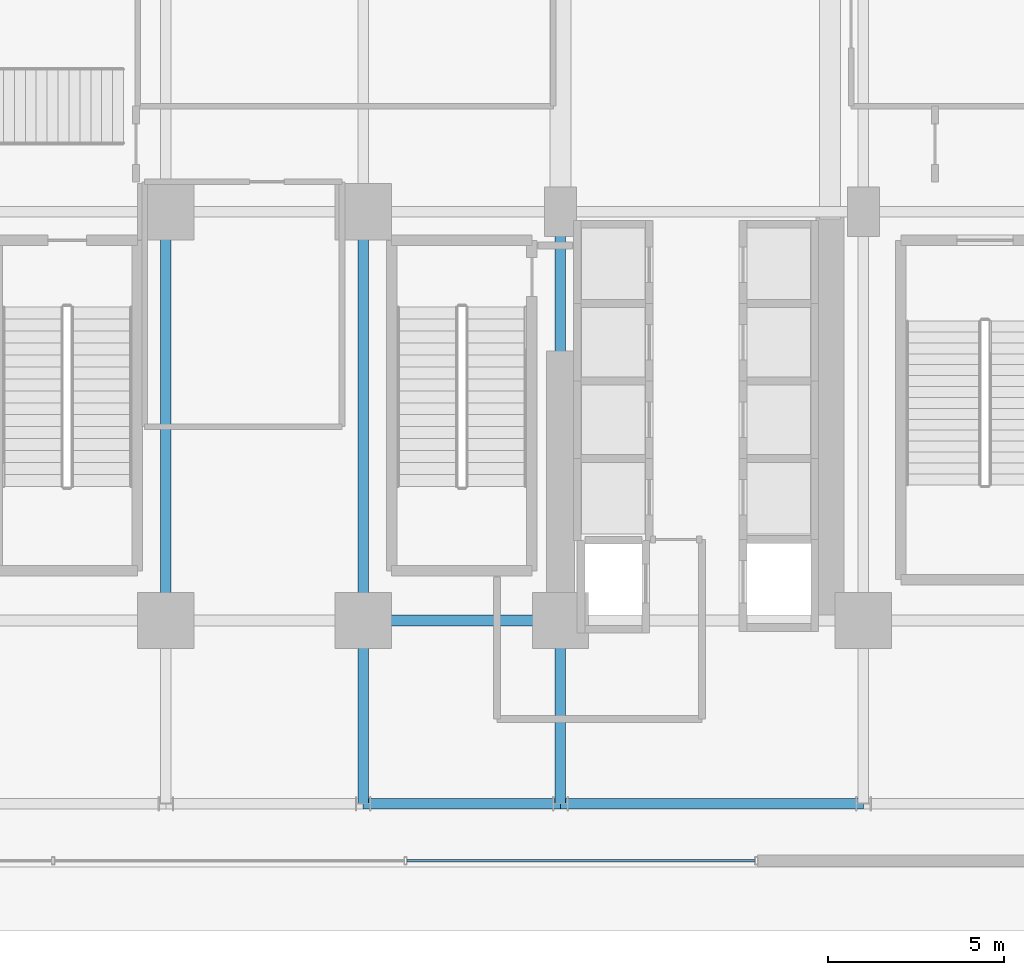
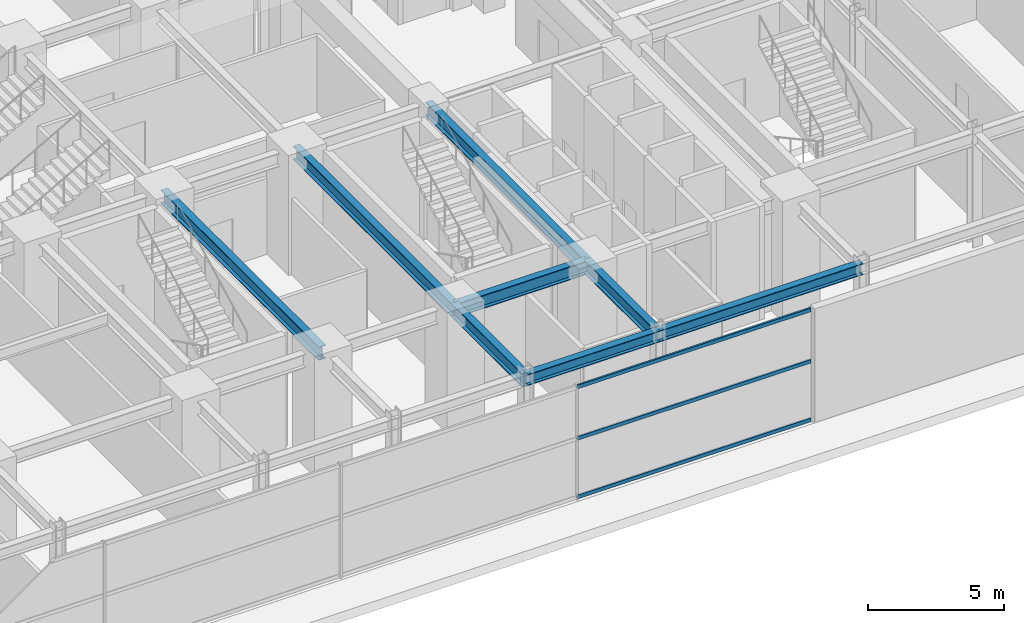
# One storey, part 8 of 29: 8 beams, 3 members, 1 element without a shape of its own.
"""IFC4 building model written with IfcOpenShell, lengths in metres."""

from ifc_helpers import new_model, si_unit, direction, frame, origin, origin_2d, place, context, subcontext, project, spatial, hollow_rectangle, i_section, extrude, source, transform, mapped, material, material_profile, profile_set, type_object, element, aggregate, save


model = new_model("IFC4")

# Units and contexts
model_context = context("Model", 3, precision=1e-05, world=origin(), true_north=direction((0.0, 1.0)))
body_context = subcontext(model_context, "Body", "Model", "MODEL_VIEW")
ifc_project = project(units=[si_unit("LENGTHUNIT", "METRE"), si_unit("AREAUNIT", "SQUARE_METRE"), si_unit("VOLUMEUNIT", "CUBIC_METRE"), si_unit("PLANEANGLEUNIT", "RADIAN"), si_unit("MASSUNIT", "GRAM", prefix="KILO")], contexts=[model_context])

# Site, building, storey
site_placement = place(None, origin())
site = spatial("IfcSite", under=ifc_project, at=site_placement, CompositionType="ELEMENT")
building_placement = place(site_placement, origin())
building = spatial("IfcBuilding", under=site, at=building_placement, Name="Nahalor Promenade Grand Hotel", CompositionType="ELEMENT")
storey_placement = place(building_placement, origin())
storey = spatial("IfcBuildingStorey", under=building, at=storey_placement, Name="L00", CompositionType="ELEMENT", Elevation=0.0)

# Beams
ifc_material_1 = material(Name="Steel S355JR", Category="steel")
ifc_material_profile_1 = material_profile(ifc_material_1, i_section(OverallWidth=0.3, OverallDepth=0.6, WebThickness=0.0155, FlangeThickness=0.03, at=origin_2d()), Name="HEB 600")
ifc_profile_set_1 = profile_set([ifc_material_profile_1], Name="Steel S355JR")
beam_type_1 = type_object("IfcBeamType", Name="Beam-Girder-HEB600", PredefinedType="BEAM", material=ifc_profile_set_1)
shared_shape_1 = source(origin(), body_context, "Body", "SweptSolid", [
    extrude(i_section(OverallWidth=0.3, OverallDepth=0.6, WebThickness=0.0155, FlangeThickness=0.03, at=origin_2d()), origin(), (0.0, 0.0, 1.0), 5.599853515625),
])
beam_1_placement = place(storey_placement, frame((2.800048828125, -17.0, 4.780029296875), z_axis=(1.0, 0.0, 0.0), x_axis=(0.0, 1.0, 0.0)))
element("IfcBeam", 1, at=beam_1_placement, inside=storey, type_object=beam_type_1, Name="BM-L00-GX-0-5", PredefinedType="BEAM", context=body_context, shape_type="MappedRepresentation", body=[
    mapped(shared_shape_1, transform((0.0, 0.0, 0.0), scale=1.0)),
])
shared_shape_2 = source(origin(), body_context, "Body", "SweptSolid", [
    extrude(i_section(OverallWidth=0.3, OverallDepth=0.6, WebThickness=0.0155, FlangeThickness=0.03, at=origin_2d()), origin(), (0.0, 0.0, 1.0), 5.199951171875),
])
for number, where, z_axis, x_axis, name in (
    (2, (2.800048828125, -22.199951171875, 4.780029296875), (0.0, 1.0, 0.0), (-1.0, 0.0, 0.0), "BM-L00-GY-3-0"),
    (3, (8.39990234375, -22.199951171875, 4.780029296875), (0.0, 1.0, 0.0), (-1.0, 0.0, 0.0), "BM-L00-GY-4-0"),
):
    element("IfcBeam", number, at=place(storey_placement, frame(where, z_axis=z_axis, x_axis=x_axis)), inside=storey, type_object=beam_type_1, Name=name, PredefinedType="BEAM", context=body_context, shape_type="MappedRepresentation", body=[
        mapped(shared_shape_2, transform((0.0, 0.0, 0.0), scale=1.0)),
    ])
shared_shape_3 = source(origin(), body_context, "Body", "SweptSolid", [
    extrude(i_section(OverallWidth=0.3, OverallDepth=0.6, WebThickness=0.0155, FlangeThickness=0.03, at=origin_2d()), origin(), (0.0, 0.0, 1.0), 11.60009765625),
])
for number, where, z_axis, x_axis, name in (
    (4, (-2.800048828125, -17.0, 4.780029296875), (0.0, 1.0, 0.0), (-1.0, 0.0, 0.0), "BM-L00-GY-2-1"),
    (5, (2.800048828125, -17.0, 4.780029296875), (0.0, 1.0, 0.0), (-1.0, 0.0, 0.0), "BM-L00-GY-3-1"),
    (6, (8.39990234375, -17.0, 4.780029296875), (0.0, 1.0, 0.0), (-1.0, 0.0, 0.0), "BM-L00-GY-4-1"),
):
    element("IfcBeam", number, at=place(storey_placement, frame(where, z_axis=z_axis, x_axis=x_axis)), inside=storey, type_object=beam_type_1, Name=name, PredefinedType="BEAM", context=body_context, shape_type="MappedRepresentation", body=[
        mapped(shared_shape_3, transform((0.0, 0.0, 0.0), scale=1.0)),
    ])
ifc_material_profile_2 = material_profile(ifc_material_1, i_section(OverallWidth=0.3, OverallDepth=0.5, WebThickness=0.0145, FlangeThickness=0.028, at=origin_2d()), Name="HEB 500")
ifc_profile_set_2 = profile_set([ifc_material_profile_2], Name="Steel S355JR")
beam_type_2 = type_object("IfcBeamType", Name="Beam-Spandrel-HEB500", PredefinedType="SPANDREL", material=ifc_profile_set_2)
shared_shape_4 = source(origin(), body_context, "Body", "SweptSolid", [
    extrude(i_section(OverallWidth=0.3, OverallDepth=0.5, WebThickness=0.0145, FlangeThickness=0.028, at=origin_2d()), origin(), (0.0, 0.0, 1.0), 8.60009765625),
])
beam_2_placement = place(storey_placement, frame((8.39990234375, -22.199951171875, 4.830078125), z_axis=(1.0, 0.0, 0.0), x_axis=(0.0, 1.0, 0.0)))
element("IfcBeam", 7, at=beam_2_placement, inside=storey, type_object=beam_type_2, Name="BM-L00-SP-S-4", PredefinedType="SPANDREL", context=body_context, shape_type="MappedRepresentation", body=[
    mapped(shared_shape_4, transform((0.0, 0.0, 0.0), scale=1.0)),
])
shared_shape_5 = source(origin(), body_context, "Body", "SweptSolid", [
    extrude(i_section(OverallWidth=0.3, OverallDepth=0.5, WebThickness=0.0145, FlangeThickness=0.028, at=origin_2d()), origin(), (0.0, 0.0, 1.0), 5.599853515625),
])
beam_3_placement = place(storey_placement, frame((2.800048828125, -22.199951171875, 4.830078125), z_axis=(1.0, 0.0, 0.0), x_axis=(0.0, 1.0, 0.0)))
element("IfcBeam", 8, at=beam_3_placement, inside=storey, type_object=beam_type_2, Name="BM-L00-SP-S-3", PredefinedType="SPANDREL", context=body_context, shape_type="MappedRepresentation", body=[
    mapped(shared_shape_5, transform((0.0, 0.0, 0.0), scale=1.0)),
])

# Curtain wall, members
ifc_material_2 = material(Name="Anodised Bronze Aluminium EN AW-6063 T6", Category="aluminium")
curtain_wall_type = type_object("IfcCurtainWallType", Name="CW1 Waterfront Podium Bronze Arcade Curtain Wall", PredefinedType="USERDEFINED", material=ifc_material_2)
curtain_wall_placement = place(storey_placement, origin())
curtain_wall = element("IfcCurtainWall", 9, at=curtain_wall_placement, inside=storey, type_object=curtain_wall_type, Name="L00 Curtain Wall CW-L00-S-MID", ObjectType="UNITISED_CURTAIN_WALL", PredefinedType="USERDEFINED")
ifc_material_profile_3 = material_profile(ifc_material_2, hollow_rectangle(XDim=0.08, YDim=0.16, WallThickness=0.004, at=origin_2d()), Name="CWT 80x160x4")
ifc_profile_set_3 = profile_set([ifc_material_profile_3], Name="Anodised Bronze Aluminium EN AW-6063 T6")
member_type = type_object("IfcMemberType", Name="CWT1 Podium Bronze Transom 80x160", PredefinedType="USERDEFINED", material=ifc_profile_set_3)
shared_shape_6 = source(origin(), body_context, "Body", "SweptSolid", [
    extrude(hollow_rectangle(XDim=0.08, YDim=0.16, WallThickness=0.004, at=origin_2d()), origin(), (0.0, 0.0, 1.0), 9.8798828125),
])
member_1_placement = place(storey_placement, frame((4.0400390625, -23.820068359375, 0.080078125), z_axis=(1.0, 0.0, 0.0), x_axis=(0.0, 1.0, 0.0)))
member_1 = element("IfcMember", 10, at=member_1_placement, type_object=member_type, Name="CW-L00-S-MID Transom 3-0", ObjectType="TRANSOM", PredefinedType="USERDEFINED", context=body_context, shape_type="MappedRepresentation", body=[
    mapped(shared_shape_6, transform((0.0, 0.0, 0.0), scale=1.0)),
])
member_2_placement = place(storey_placement, frame((4.0400390625, -23.820068359375, 2.699951171875), z_axis=(1.0, 0.0, 0.0), x_axis=(0.0, 1.0, 0.0)))
member_2 = element("IfcMember", 11, at=member_2_placement, type_object=member_type, Name="CW-L00-S-MID Transom 3-1", ObjectType="TRANSOM", PredefinedType="USERDEFINED", context=body_context, shape_type="MappedRepresentation", body=[
    mapped(shared_shape_6, transform((0.0, 0.0, 0.0), scale=1.0)),
])
member_3_placement = place(storey_placement, frame((4.0400390625, -23.820068359375, 5.0), z_axis=(1.0, 0.0, 0.0), x_axis=(0.0, 1.0, 0.0)))
member_3 = element("IfcMember", 12, at=member_3_placement, type_object=member_type, Name="CW-L00-S-MID Transom 3-2", ObjectType="TRANSOM", PredefinedType="USERDEFINED", context=body_context, shape_type="MappedRepresentation", body=[
    mapped(shared_shape_6, transform((0.0, 0.0, 0.0), scale=1.0)),
])
aggregate(curtain_wall, [member_1, member_2, member_3])

save(model, "model.ifc")
